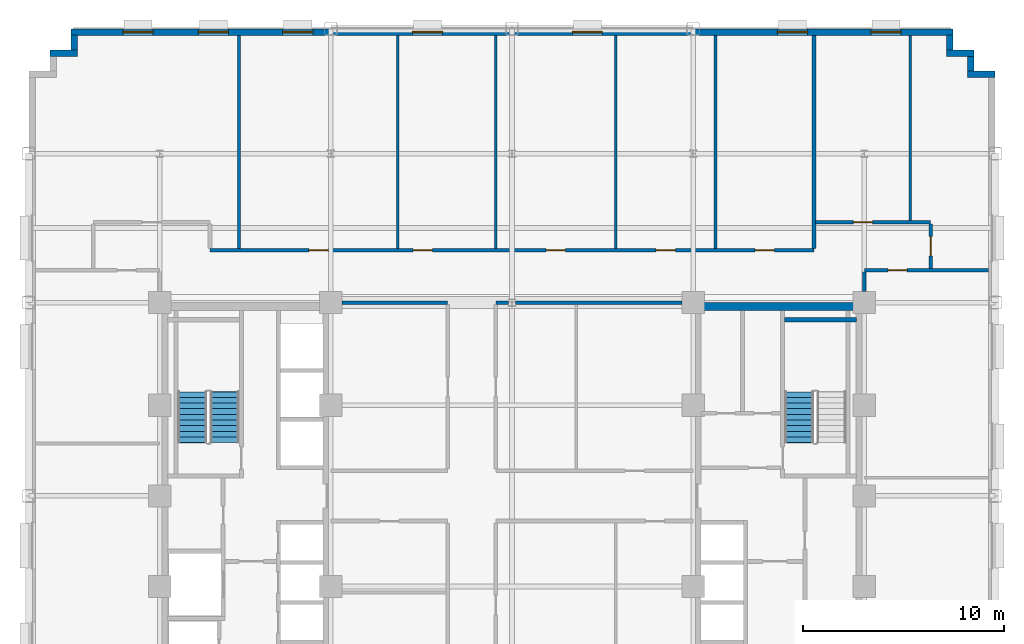
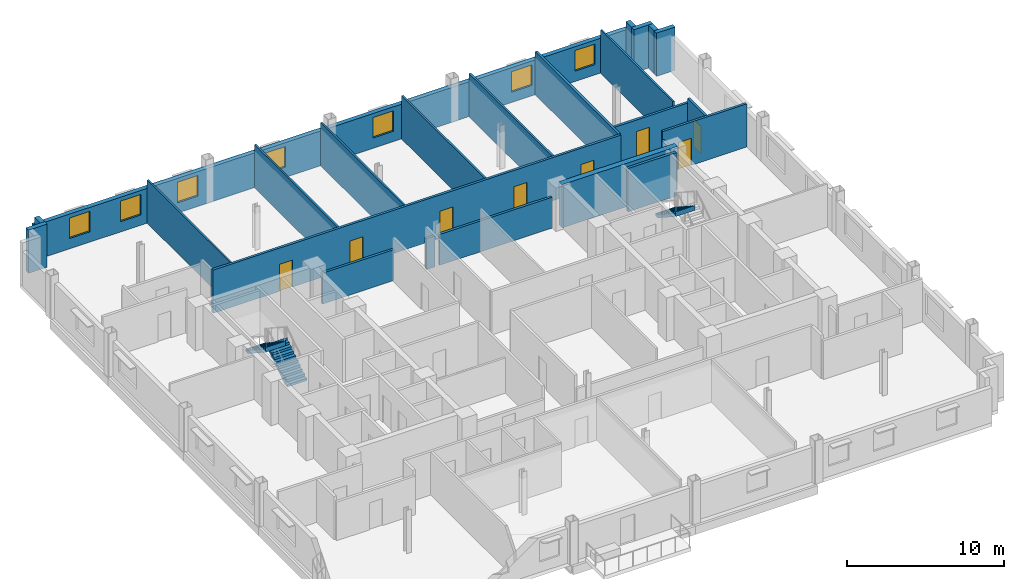
# One storey, part 9 of 14: 24 walls, 8 doors, 7 windows, 3 stair flights, 15 openings, 2 elements without a shape of their own.
"""IFC4 building model written with IfcOpenShell, lengths in metres."""

from ifc_helpers import new_model, si_unit, direction, frame, frame_2d, origin, place, context, subcontext, project, spatial, polyline, rectangle, outline, extrude, source, transform, mapped, material, layer, layer_set, type_object, type_shapes, element, fill, aggregate, save


model = new_model("IFC4")

# Units and contexts
model_context = context("Model", 3, precision=1e-05, world=origin(), true_north=direction((0.0, 1.0)))
body_context = subcontext(model_context, "Body", "Model", "MODEL_VIEW")
ifc_project = project(units=[si_unit("LENGTHUNIT", "METRE"), si_unit("AREAUNIT", "SQUARE_METRE"), si_unit("VOLUMEUNIT", "CUBIC_METRE"), si_unit("PLANEANGLEUNIT", "RADIAN"), si_unit("MASSUNIT", "GRAM", prefix="KILO")], contexts=[model_context])

# Site, building, storey
site_placement = place(None, origin())
site = spatial("IfcSite", under=ifc_project, at=site_placement, CompositionType="ELEMENT")
building_placement = place(site_placement, origin())
building = spatial("IfcBuilding", under=site, at=building_placement, Name="Nuvemarco Arch Tower", CompositionType="ELEMENT")
storey_placement = place(building_placement, frame((0.0, 0.0, 109.25)))
storey = spatial("IfcBuildingStorey", under=building, at=storey_placement, Name="L28", CompositionType="ELEMENT", Elevation=109.25)

# Walls
ifc_material_1 = material(Name="Precast concrete C45/55", Category="concrete")
ifc_layer_1 = layer(ifc_material_1, 0.320068359375, Name="EW-MID-320")
ifc_layer_set_1 = layer_set([ifc_layer_1], Name="Precast concrete C45/55")
wall_type_1 = type_object("IfcWallType", Name="EW-MID-320", PredefinedType="STANDARD", material=ifc_layer_set_1)
wall_1_placement = place(storey_placement, frame((22.6298828125, 20.93994140625, 0.0), z_axis=(0.0, 0.0, 1.0), x_axis=(1.0, 0.0, 0.0)))
element("IfcWall", 1, at=wall_1_placement, inside=storey, type_object=wall_type_1, Name="L28 exterior precast facade wall 7", PredefinedType="STANDARD", context=body_context, shape_type="SweptSolid", body=[
    extrude(rectangle(XDim=1.3701171875, YDim=0.320068359375, at=frame_2d((0.68505859375, 0.0))), origin(), (0.0, 0.0, 1.0), 3.360107421875),
])
wall_2_placement = place(storey_placement, frame((22.7900390625, 21.095947265625, 0.0), z_axis=(0.0, 0.0, 1.0), x_axis=(0.0, 1.0, 0.0)))
element("IfcWall", 2, at=wall_2_placement, inside=storey, type_object=wall_type_1, Name="L28 exterior precast facade wall 8", PredefinedType="STANDARD", context=body_context, shape_type="SweptSolid", body=[
    extrude(rectangle(XDim=0.738037109375, YDim=0.320068359375, at=frame_2d((0.369140625, 0.0))), origin(), (0.0, 0.0, 1.0), 3.360107421875),
])
wall_3_placement = place(storey_placement, frame((21.580078125, 21.989990234375, 0.0), z_axis=(0.0, 0.0, 1.0), x_axis=(1.0, 0.0, 0.0)))
element("IfcWall", 3, at=wall_3_placement, inside=storey, type_object=wall_type_1, Name="L28 exterior precast facade wall 9", PredefinedType="STANDARD", context=body_context, shape_type="SweptSolid", body=[
    extrude(rectangle(XDim=1.369873046875, YDim=0.320068359375, at=frame_2d((0.68505859375, 0.0))), origin(), (0.0, 0.0, 1.0), 3.360107421875),
])
wall_4_placement = place(storey_placement, frame((21.739990234375, 22.14599609375, 0.0), z_axis=(0.0, 0.0, 1.0), x_axis=(0.0, 1.0, 0.0)))
element("IfcWall", 4, at=wall_4_placement, inside=storey, type_object=wall_type_1, Name="L28 exterior precast facade wall 10", PredefinedType="STANDARD", context=body_context, shape_type="SweptSolid", body=[
    extrude(rectangle(XDim=0.738037109375, YDim=0.320068359375, at=frame_2d((0.369140625, 0.0))), origin(), (0.0, 0.0, 1.0), 3.360107421875),
])

# Wall, openings, windows
wall_5_placement = place(storey_placement, frame((-21.89990234375, 23.0400390625, 0.0), z_axis=(0.0, 0.0, 1.0), x_axis=(1.0, 0.0, 0.0)))
wall_5 = element("IfcWall", 5, at=wall_5_placement, inside=storey, type_object=wall_type_1, Name="L28 exterior precast facade wall 11", PredefinedType="STANDARD", context=body_context, shape_type="SweptSolid", body=[
    extrude(rectangle(XDim=43.7998046875, YDim=0.320068359375, at=frame_2d((21.89990234375, 0.0))), origin(), (0.0, 0.0, 1.0), 2.705078125),
])
opening_1_placement = place(wall_5_placement, frame((2.572265625, 0.0, 0.800048828125)))
opening_1 = element("IfcOpeningElement", 6, at=opening_1_placement, cuts=wall_5, Name="Opening WN-11", PredefinedType="OPENING", context=body_context, shape_type="SweptSolid", body=[
    extrude(rectangle(XDim=1.5, YDim=1.60009765625, at=frame_2d((0.75, 0.800048828125))), frame((0.0, 0.169921875, 0.0), z_axis=(0.0, -1.0, 0.0), x_axis=(1.0, 0.0, 0.0)), (0.0, 0.0, 1.0), 0.340087890625),
])
opening_2_placement = place(wall_5_placement, frame((6.316650390625, 0.0, 0.800048828125)))
opening_2 = element("IfcOpeningElement", 7, at=opening_2_placement, cuts=wall_5, Name="Opening WN-11", PredefinedType="OPENING", context=body_context, shape_type="SweptSolid", body=[
    extrude(rectangle(XDim=1.5, YDim=1.60009765625, at=frame_2d((0.75, 0.800048828125))), frame((0.0, 0.169921875, 0.0), z_axis=(0.0, -1.0, 0.0), x_axis=(1.0, 0.0, 0.0)), (0.0, 0.0, 1.0), 0.340087890625),
])
opening_3_placement = place(wall_5_placement, frame((10.510986328125, 0.0, 0.800048828125)))
opening_3 = element("IfcOpeningElement", 8, at=opening_3_placement, cuts=wall_5, Name="Opening WN-11", PredefinedType="OPENING", context=body_context, shape_type="SweptSolid", body=[
    extrude(rectangle(XDim=1.5, YDim=1.60009765625, at=frame_2d((0.75, 0.800048828125))), frame((0.0, 0.169921875, 0.0), z_axis=(0.0, -1.0, 0.0), x_axis=(1.0, 0.0, 0.0)), (0.0, 0.0, 1.0), 0.340087890625),
])
opening_4_placement = place(wall_5_placement, frame((16.95556640625, 0.0, 0.800048828125)))
opening_4 = element("IfcOpeningElement", 9, at=opening_4_placement, cuts=wall_5, Name="Opening WN-11", PredefinedType="OPENING", context=body_context, shape_type="SweptSolid", body=[
    extrude(rectangle(XDim=1.5, YDim=1.60009765625, at=frame_2d((0.75, 0.800048828125))), frame((0.0, 0.169921875, 0.0), z_axis=(0.0, -1.0, 0.0), x_axis=(1.0, 0.0, 0.0)), (0.0, 0.0, 1.0), 0.340087890625),
])
opening_5_placement = place(wall_5_placement, frame((24.894287109375, 0.0, 0.800048828125)))
opening_5 = element("IfcOpeningElement", 10, at=opening_5_placement, cuts=wall_5, Name="Opening WN-11", PredefinedType="OPENING", context=body_context, shape_type="SweptSolid", body=[
    extrude(rectangle(XDim=1.5, YDim=1.60009765625, at=frame_2d((0.75, 0.800048828125))), frame((0.0, 0.169921875, 0.0), z_axis=(0.0, -1.0, 0.0), x_axis=(1.0, 0.0, 0.0)), (0.0, 0.0, 1.0), 0.340087890625),
])
opening_6_placement = place(wall_5_placement, frame((35.083251953125, 0.0, 0.800048828125)))
opening_6 = element("IfcOpeningElement", 11, at=opening_6_placement, cuts=wall_5, Name="Opening WN-11", PredefinedType="OPENING", context=body_context, shape_type="SweptSolid", body=[
    extrude(rectangle(XDim=1.5, YDim=1.60009765625, at=frame_2d((0.75, 0.800048828125))), frame((0.0, 0.169921875, 0.0), z_axis=(0.0, -1.0, 0.0), x_axis=(1.0, 0.0, 0.0)), (0.0, 0.0, 1.0), 0.340087890625),
])
opening_7_placement = place(wall_5_placement, frame((39.727783203125, 0.0, 0.800048828125)))
opening_7 = element("IfcOpeningElement", 12, at=opening_7_placement, cuts=wall_5, Name="Opening WN-11", PredefinedType="OPENING", context=body_context, shape_type="SweptSolid", body=[
    extrude(rectangle(XDim=1.5, YDim=1.60009765625, at=frame_2d((0.75, 0.800048828125))), frame((0.0, 0.169921875, 0.0), z_axis=(0.0, -1.0, 0.0), x_axis=(1.0, 0.0, 0.0)), (0.0, 0.0, 1.0), 0.340087890625),
])
ifc_material_2 = material(Name="Insulated solar-control glass", Category="glass")
window_type = type_object("IfcWindowType", Name="WN-STEP-1500x1850", PartitioningType="SINGLE_PANEL", PredefinedType="WINDOW", material=ifc_material_2)
shared_shape_1 = source(origin(), body_context, "Body", "SweptSolid", [
    extrude(rectangle(XDim=1.5, YDim=1.60009765625, at=frame_2d((0.75, 0.800048828125))), frame((0.0, 0.030029296875, 0.0), z_axis=(0.0, -1.0, 0.0), x_axis=(1.0, 0.0, 0.0)), (0.0, 0.0, 1.0), 0.06005859375),
])
type_shapes(window_type, [shared_shape_1])
window_1_placement = place(opening_1_placement, origin())
window_1 = element("IfcWindow", 13, at=window_1_placement, inside=storey, type_object=window_type, Name="L28 punched facade window 1", OverallHeight=1.60009765625, OverallWidth=1.5, PartitioningType="SINGLE_PANEL", PredefinedType="WINDOW", context=body_context, shape_type="MappedRepresentation", body=[
    mapped(shared_shape_1, transform((0.0, 0.0, 0.0), scale=1.0)),
])
fill(opening_1, window_1)
window_2_placement = place(opening_2_placement, origin())
window_2 = element("IfcWindow", 14, at=window_2_placement, inside=storey, type_object=window_type, Name="L28 punched facade window 2", OverallHeight=1.60009765625, OverallWidth=1.5, PartitioningType="SINGLE_PANEL", PredefinedType="WINDOW", context=body_context, shape_type="MappedRepresentation", body=[
    mapped(shared_shape_1, transform((0.0, 0.0, 0.0), scale=1.0)),
])
fill(opening_2, window_2)
window_3_placement = place(opening_3_placement, origin())
window_3 = element("IfcWindow", 15, at=window_3_placement, inside=storey, type_object=window_type, Name="L28 punched facade window 3", OverallHeight=1.60009765625, OverallWidth=1.5, PartitioningType="SINGLE_PANEL", PredefinedType="WINDOW", context=body_context, shape_type="MappedRepresentation", body=[
    mapped(shared_shape_1, transform((0.0, 0.0, 0.0), scale=1.0)),
])
fill(opening_3, window_3)
window_4_placement = place(opening_4_placement, origin())
window_4 = element("IfcWindow", 16, at=window_4_placement, inside=storey, type_object=window_type, Name="L28 punched facade window 4", OverallHeight=1.60009765625, OverallWidth=1.5, PartitioningType="SINGLE_PANEL", PredefinedType="WINDOW", context=body_context, shape_type="MappedRepresentation", body=[
    mapped(shared_shape_1, transform((0.0, 0.0, 0.0), scale=1.0)),
])
fill(opening_4, window_4)
window_5_placement = place(opening_5_placement, origin())
window_5 = element("IfcWindow", 17, at=window_5_placement, inside=storey, type_object=window_type, Name="L28 punched facade window 6", OverallHeight=1.60009765625, OverallWidth=1.5, PartitioningType="SINGLE_PANEL", PredefinedType="WINDOW", context=body_context, shape_type="MappedRepresentation", body=[
    mapped(shared_shape_1, transform((0.0, 0.0, 0.0), scale=1.0)),
])
fill(opening_5, window_5)
window_6_placement = place(opening_6_placement, origin())
window_6 = element("IfcWindow", 18, at=window_6_placement, inside=storey, type_object=window_type, Name="L28 punched facade window 8", OverallHeight=1.60009765625, OverallWidth=1.5, PartitioningType="SINGLE_PANEL", PredefinedType="WINDOW", context=body_context, shape_type="MappedRepresentation", body=[
    mapped(shared_shape_1, transform((0.0, 0.0, 0.0), scale=1.0)),
])
fill(opening_6, window_6)
window_7_placement = place(opening_7_placement, origin())
window_7 = element("IfcWindow", 19, at=window_7_placement, inside=storey, type_object=window_type, Name="L28 punched facade window 9", OverallHeight=1.60009765625, OverallWidth=1.5, PartitioningType="SINGLE_PANEL", PredefinedType="WINDOW", context=body_context, shape_type="MappedRepresentation", body=[
    mapped(shared_shape_1, transform((0.0, 0.0, 0.0), scale=1.0)),
])
fill(opening_7, window_7)

# Walls
wall_6_placement = place(storey_placement, frame((-21.739990234375, 22.14599609375, 0.0), z_axis=(0.0, 0.0, 1.0), x_axis=(0.0, 1.0, 0.0)))
element("IfcWall", 20, at=wall_6_placement, inside=storey, type_object=wall_type_1, Name="L28 exterior precast facade wall 12", PredefinedType="STANDARD", context=body_context, shape_type="SweptSolid", body=[
    extrude(rectangle(XDim=0.738037109375, YDim=0.320068359375, at=frame_2d((0.369140625, 0.0))), origin(), (0.0, 0.0, 1.0), 3.360107421875),
])
wall_7_placement = place(storey_placement, frame((-22.949951171875, 21.989990234375, 0.0), z_axis=(0.0, 0.0, 1.0), x_axis=(1.0, 0.0, 0.0)))
element("IfcWall", 21, at=wall_7_placement, inside=storey, type_object=wall_type_1, Name="L28 exterior precast facade wall 13", PredefinedType="STANDARD", context=body_context, shape_type="SweptSolid", body=[
    extrude(rectangle(XDim=1.369873046875, YDim=0.320068359375, at=frame_2d((0.68505859375, 0.0))), origin(), (0.0, 0.0, 1.0), 3.360107421875),
])
ifc_material_3 = material(Name="Concrete C60/75", Category="concrete")
ifc_layer_2 = layer(ifc_material_3, 0.39990234375, Name="WL-CORE-400")
ifc_layer_set_2 = layer_set([ifc_layer_2], Name="Concrete C60/75")
wall_type_2 = type_object("IfcWallType", Name="WL-CORE-400", PredefinedType="SHEAR", material=ifc_layer_set_2)
wall_8_placement = place(storey_placement, frame((9.0, 9.39990234375, 0.0), z_axis=(0.0, 0.0, 1.0), x_axis=(1.0, 0.0, 0.0)))
element("IfcWall", 22, at=wall_8_placement, inside=storey, type_object=wall_type_2, Name="L28 E-core shear wall N", PredefinedType="SHEAR", context=body_context, shape_type="SweptSolid", body=[
    extrude(rectangle(XDim=8.5, YDim=0.39990234375, at=frame_2d((4.25, 0.0))), origin(), (0.0, 0.0, 1.0), 3.3701171875),
])
ifc_material_4 = material(Name="Fire-rated gypsum drywall partition")
ifc_layer_3 = layer(ifc_material_4, 0.179931640625, Name="WL-CORR-180")
ifc_layer_set_3 = layer_set([ifc_layer_3], Name="Fire-rated gypsum drywall partition")
wall_type_3 = type_object("IfcWallType", Name="WL-CORR-180", PredefinedType="PARTITIONING", material=ifc_layer_set_3)
wall_9_placement = place(storey_placement, frame((-8.4541015625, 9.60009765625, 0.0), z_axis=(0.0, 0.0, 1.0), x_axis=(1.0, 0.0, 0.0)))
element("IfcWall", 23, at=wall_9_placement, inside=storey, type_object=wall_type_3, Name="L28 interior wall IW-L28-017", PredefinedType="PARTITIONING", context=body_context, shape_type="SweptSolid", body=[
    extrude(rectangle(XDim=5.254150390625, YDim=0.179931640625, at=frame_2d((2.626953125, 0.0))), origin(), (0.0, 0.0, 1.0), 2.405029296875),
])
wall_10_placement = place(storey_placement, frame((-0.800048828125, 9.60009765625, 0.0), z_axis=(0.0, 0.0, 1.0), x_axis=(1.0, 0.0, 0.0)))
element("IfcWall", 24, at=wall_10_placement, inside=storey, type_object=wall_type_3, Name="L28 interior wall IW-L28-018", PredefinedType="PARTITIONING", context=body_context, shape_type="SweptSolid", body=[
    extrude(rectangle(XDim=0.6240234375, YDim=0.179931640625, at=frame_2d((0.31201171875, 0.0))), origin(), (0.0, 0.0, 1.0), 2.405029296875),
])
wall_11_placement = place(storey_placement, frame((0.176025390625, 9.60009765625, 0.0), z_axis=(0.0, 0.0, 1.0), x_axis=(1.0, 0.0, 0.0)))
element("IfcWall", 25, at=wall_11_placement, inside=storey, type_object=wall_type_3, Name="L28 interior wall IW-L28-019", PredefinedType="PARTITIONING", context=body_context, shape_type="SweptSolid", body=[
    extrude(rectangle(XDim=8.278076171875, YDim=0.179931640625, at=frame_2d((4.13916015625, 0.0))), origin(), (0.0, 0.0, 1.0), 2.405029296875),
])

# Wall, opening, door
wall_12_placement = place(storey_placement, frame((17.5, 11.199951171875, 0.0), z_axis=(0.0, 0.0, 1.0), x_axis=(1.0, 0.0, 0.0)))
wall_12 = element("IfcWall", 26, at=wall_12_placement, inside=storey, type_object=wall_type_3, Name="L28 interior wall IW-L28-021", PredefinedType="PARTITIONING", context=body_context, shape_type="SweptSolid", body=[
    extrude(rectangle(XDim=6.179931640625, YDim=0.179931640625, at=frame_2d((3.08984375, 0.0))), origin(), (0.0, 0.0, 1.0), 3.360107421875),
])
opening_8_placement = place(wall_12_placement, frame((1.169921875, 0.0, 0.0)))
opening_8 = element("IfcOpeningElement", 27, at=opening_8_placement, cuts=wall_12, Name="Opening FD-5", PredefinedType="OPENING", context=body_context, shape_type="SweptSolid", body=[
    extrude(rectangle(XDim=0.9599609375, YDim=2.10009765625, at=frame_2d((0.47998046875, 1.050048828125))), frame((0.0, 0.099853515625, 0.0), z_axis=(0.0, -1.0, 0.0), x_axis=(1.0, 0.0, 0.0)), (0.0, 0.0, 1.0), 0.199951171875),
])
ifc_material_5 = material(Name="Timber fire door", Category="wood")
door_type = type_object("IfcDoorType", Name="DR-CORR-FD", OperationType="NOTDEFINED", PredefinedType="DOOR", material=ifc_material_5)
shared_shape_2 = source(origin(), body_context, "Body", "SweptSolid", [
    extrude(rectangle(XDim=0.9599609375, YDim=2.10009765625, at=frame_2d((0.47998046875, 1.050048828125))), frame((0.0, 0.02490234375, 0.0), z_axis=(0.0, -1.0, 0.0), x_axis=(1.0, 0.0, 0.0)), (0.0, 0.0, 1.0), 0.050048828125),
])
type_shapes(door_type, [shared_shape_2])
door_1_placement = place(opening_8_placement, origin())
door_1 = element("IfcDoor", 28, at=door_1_placement, inside=storey, type_object=door_type, Name="L28 door DR-L28-E_2", OperationType="SINGLE_SWING_LEFT", OverallHeight=2.10009765625, OverallWidth=0.9599609375, PredefinedType="DOOR", context=body_context, shape_type="MappedRepresentation", body=[
    mapped(shared_shape_2, transform((0.0, 0.0, 0.0), scale=1.0)),
])
fill(opening_8, door_1)

# Wall, openings, doors
wall_13_placement = place(storey_placement, frame((-15.0, 12.199951171875, 0.0), z_axis=(0.0, 0.0, 1.0), x_axis=(1.0, 0.0, 0.0)))
wall_13 = element("IfcWall", 29, at=wall_13_placement, inside=storey, type_object=wall_type_3, Name="L28 interior wall IW-L28-022", PredefinedType="PARTITIONING", context=body_context, shape_type="SweptSolid", body=[
    extrude(rectangle(XDim=30.0, YDim=0.179931640625, at=frame_2d((15.0, 0.0))), origin(), (0.0, 0.0, 1.0), 3.360107421875),
])
opening_9_placement = place(wall_13_placement, frame((4.905029296875, 0.0, 0.0)))
opening_9 = element("IfcOpeningElement", 30, at=opening_9_placement, cuts=wall_13, Name="Opening FD-5", PredefinedType="OPENING", context=body_context, shape_type="SweptSolid", body=[
    extrude(rectangle(XDim=0.9599609375, YDim=2.10009765625, at=frame_2d((0.47998046875, 1.050048828125))), frame((0.0, 0.099853515625, 0.0), z_axis=(0.0, -1.0, 0.0), x_axis=(1.0, 0.0, 0.0)), (0.0, 0.0, 1.0), 0.199951171875),
])
opening_10_placement = place(wall_13_placement, frame((16.695068359375, 0.0, 0.0)))
opening_10 = element("IfcOpeningElement", 31, at=opening_10_placement, cuts=wall_13, Name="Opening FD-5", PredefinedType="OPENING", context=body_context, shape_type="SweptSolid", body=[
    extrude(rectangle(XDim=0.9599609375, YDim=2.10009765625, at=frame_2d((0.47998046875, 1.050048828125))), frame((0.0, 0.099853515625, 0.0), z_axis=(0.0, -1.0, 0.0), x_axis=(1.0, 0.0, 0.0)), (0.0, 0.0, 1.0), 0.199951171875),
])
opening_11_placement = place(wall_13_placement, frame((22.14990234375, 0.0, 0.0)))
opening_11 = element("IfcOpeningElement", 32, at=opening_11_placement, cuts=wall_13, Name="Opening FD-5", PredefinedType="OPENING", context=body_context, shape_type="SweptSolid", body=[
    extrude(rectangle(XDim=0.9599609375, YDim=2.10009765625, at=frame_2d((0.47998046875, 1.050048828125))), frame((0.0, 0.099853515625, 0.0), z_axis=(0.0, -1.0, 0.0), x_axis=(1.0, 0.0, 0.0)), (0.0, 0.0, 1.0), 0.199951171875),
])
opening_12_placement = place(wall_13_placement, frame((27.074951171875, 0.0, 0.0)))
opening_12 = element("IfcOpeningElement", 33, at=opening_12_placement, cuts=wall_13, Name="Opening FD-5", PredefinedType="OPENING", context=body_context, shape_type="SweptSolid", body=[
    extrude(rectangle(XDim=0.9599609375, YDim=2.10009765625, at=frame_2d((0.47998046875, 1.050048828125))), frame((0.0, 0.099853515625, 0.0), z_axis=(0.0, -1.0, 0.0), x_axis=(1.0, 0.0, 0.0)), (0.0, 0.0, 1.0), 0.199951171875),
])
opening_13_placement = place(wall_13_placement, frame((10.0849609375, 0.0, 0.0)))
opening_13 = element("IfcOpeningElement", 34, at=opening_13_placement, cuts=wall_13, Name="Opening FD-5", PredefinedType="OPENING", context=body_context, shape_type="SweptSolid", body=[
    extrude(rectangle(XDim=0.9599609375, YDim=2.10009765625, at=frame_2d((0.47998046875, 1.050048828125))), frame((0.0, 0.099853515625, 0.0), z_axis=(0.0, -1.0, 0.0), x_axis=(1.0, 0.0, 0.0)), (0.0, 0.0, 1.0), 0.199951171875),
])
door_2_placement = place(opening_9_placement, origin())
door_2 = element("IfcDoor", 35, at=door_2_placement, inside=storey, type_object=door_type, Name="L28 door DR-L28-N_2", OperationType="SINGLE_SWING_RIGHT", OverallHeight=2.10009765625, OverallWidth=0.9599609375, PredefinedType="DOOR", context=body_context, shape_type="MappedRepresentation", body=[
    mapped(shared_shape_2, transform((0.0, 0.0, 0.0), scale=1.0)),
])
fill(opening_9, door_2)
door_3_placement = place(opening_10_placement, origin())
door_3 = element("IfcDoor", 36, at=door_3_placement, inside=storey, type_object=door_type, Name="L28 door DR-L28-N_4", OperationType="SINGLE_SWING_RIGHT", OverallHeight=2.10009765625, OverallWidth=0.9599609375, PredefinedType="DOOR", context=body_context, shape_type="MappedRepresentation", body=[
    mapped(shared_shape_2, transform((0.0, 0.0, 0.0), scale=1.0)),
])
fill(opening_10, door_3)
door_4_placement = place(opening_11_placement, origin())
door_4 = element("IfcDoor", 37, at=door_4_placement, inside=storey, type_object=door_type, Name="L28 door DR-L28-N_5", OperationType="SINGLE_SWING_RIGHT", OverallHeight=2.10009765625, OverallWidth=0.9599609375, PredefinedType="DOOR", context=body_context, shape_type="MappedRepresentation", body=[
    mapped(shared_shape_2, transform((0.0, 0.0, 0.0), scale=1.0)),
])
fill(opening_11, door_4)
door_5_placement = place(opening_12_placement, origin())
door_5 = element("IfcDoor", 38, at=door_5_placement, inside=storey, type_object=door_type, Name="L28 door DR-L28-N_6", OperationType="SINGLE_SWING_LEFT", OverallHeight=2.10009765625, OverallWidth=0.9599609375, PredefinedType="DOOR", context=body_context, shape_type="MappedRepresentation", body=[
    mapped(shared_shape_2, transform((0.0, 0.0, 0.0), scale=1.0)),
])
fill(opening_12, door_5)
door_6_placement = place(opening_13_placement, origin())
door_6 = element("IfcDoor", 39, at=door_6_placement, inside=storey, type_object=door_type, Name="L28 door DR-L28-N_3", OperationType="SINGLE_SWING_RIGHT", OverallHeight=2.10009765625, OverallWidth=0.9599609375, PredefinedType="DOOR", context=body_context, shape_type="MappedRepresentation", body=[
    mapped(shared_shape_2, transform((0.0, 0.0, 0.0), scale=1.0)),
])
fill(opening_13, door_6)

# Wall, opening, door
wall_14_placement = place(storey_placement, frame((15.0859375, 13.60009765625, 0.0), z_axis=(0.0, 0.0, 1.0), x_axis=(1.0, 0.0, 0.0)))
wall_14 = element("IfcWall", 40, at=wall_14_placement, inside=storey, type_object=wall_type_3, Name="L28 interior wall IW-L28-024", PredefinedType="PARTITIONING", context=body_context, shape_type="SweptSolid", body=[
    extrude(rectangle(XDim=5.714111328125, YDim=0.179931640625, at=frame_2d((2.85693359375, 0.0))), origin(), (0.0, 0.0, 1.0), 2.998046875),
])
opening_14_placement = place(wall_14_placement, frame((1.866943359375, 0.0, 0.0)))
opening_14 = element("IfcOpeningElement", 41, at=opening_14_placement, cuts=wall_14, Name="Opening FD-5", PredefinedType="OPENING", context=body_context, shape_type="SweptSolid", body=[
    extrude(rectangle(XDim=0.9599609375, YDim=2.10009765625, at=frame_2d((0.47998046875, 1.050048828125))), frame((0.0, 0.099853515625, 0.0), z_axis=(0.0, -1.0, 0.0), x_axis=(1.0, 0.0, 0.0)), (0.0, 0.0, 1.0), 0.199951171875),
])
door_7_placement = place(opening_14_placement, origin())
door_7 = element("IfcDoor", 42, at=door_7_placement, inside=storey, type_object=door_type, Name="L28 door DR-L28-N_7", OperationType="SINGLE_SWING_RIGHT", OverallHeight=2.10009765625, OverallWidth=0.9599609375, PredefinedType="DOOR", context=body_context, shape_type="MappedRepresentation", body=[
    mapped(shared_shape_2, transform((0.0, 0.0, 0.0), scale=1.0)),
])
fill(opening_14, door_7)

# Walls
wall_15_placement = place(storey_placement, frame((15.0, 12.285888671875, 0.0), z_axis=(0.0, 0.0, 1.0), x_axis=(0.0, 1.0, 0.0)))
element("IfcWall", 43, at=wall_15_placement, inside=storey, type_object=wall_type_3, Name="L28 interior wall IW-L28-049", PredefinedType="PARTITIONING", context=body_context, shape_type="SweptSolid", body=[
    extrude(rectangle(XDim=10.593994140625, YDim=0.179931640625, at=frame_2d((5.296875, 0.0))), origin(), (0.0, 0.0, 1.0), 3.360107421875),
])
wall_16_placement = place(storey_placement, frame((17.5, 10.14599609375, 0.0), z_axis=(0.0, 0.0, 1.0), x_axis=(0.0, 1.0, 0.0)))
element("IfcWall", 44, at=wall_16_placement, inside=storey, type_object=wall_type_3, Name="L28 interior wall IW-L28-051", PredefinedType="PARTITIONING", context=body_context, shape_type="SweptSolid", body=[
    extrude(rectangle(XDim=0.968017578125, YDim=0.179931640625, at=frame_2d((0.48388671875, 0.0))), origin(), (0.0, 0.0, 1.0), 2.738037109375),
])

# Wall, opening, door
wall_17_placement = place(storey_placement, frame((20.800048828125, 11.285888671875, 0.0), z_axis=(0.0, 0.0, 1.0), x_axis=(0.0, 1.0, 0.0)))
wall_17 = element("IfcWall", 45, at=wall_17_placement, inside=storey, type_object=wall_type_3, Name="L28 interior wall IW-L28-054", PredefinedType="PARTITIONING", context=body_context, shape_type="SweptSolid", body=[
    extrude(rectangle(XDim=2.22802734375, YDim=0.179931640625, at=frame_2d((1.114013671875, 0.0))), origin(), (0.0, 0.0, 1.0), 3.360107421875),
])
opening_15_placement = place(wall_17_placement, frame((0.634033203125, 0.0, 0.0)))
opening_15 = element("IfcOpeningElement", 46, at=opening_15_placement, cuts=wall_17, Name="Opening FD-5", PredefinedType="OPENING", context=body_context, shape_type="SweptSolid", body=[
    extrude(rectangle(XDim=0.9599609375, YDim=2.10009765625, at=frame_2d((0.47998046875, 1.050048828125))), frame((0.0, 0.099853515625, 0.0), z_axis=(0.0, -1.0, 0.0), x_axis=(1.0, 0.0, 0.0)), (0.0, 0.0, 1.0), 0.199951171875),
])
door_8_placement = place(opening_15_placement, origin())
door_8 = element("IfcDoor", 47, at=door_8_placement, inside=storey, type_object=door_type, Name="L28 door DR-L28-N_8", OperationType="SINGLE_SWING_LEFT", OverallHeight=2.10009765625, OverallWidth=0.9599609375, PredefinedType="DOOR", context=body_context, shape_type="MappedRepresentation", body=[
    mapped(shared_shape_2, transform((0.0, 0.0, 0.0), scale=1.0)),
])
fill(opening_15, door_8)

# Walls
ifc_material_6 = material(Name="Glazed acoustic office partition")
ifc_layer_4 = layer(ifc_material_6, 0.1298828125, Name="WL-EXEC-130")
ifc_layer_set_4 = layer_set([ifc_layer_4], Name="Glazed acoustic office partition")
wall_type_4 = type_object("IfcWallType", Name="WL-EXEC-130", PredefinedType="PARTITIONING", material=ifc_layer_set_4)
for number, where, z_axis, x_axis, name in (
    (48, (-13.56005859375, 12.285888671875, 0.0), (0.0, 0.0, 1.0), (0.0, 1.0, 0.0), "L28 interior wall IW-L28-031"),
    (49, (-5.669921875, 12.285888671875, 0.0), (0.0, 0.0, 1.0), (0.0, 1.0, 0.0), "L28 interior wall IW-L28-035"),
    (50, (-0.800048828125, 12.285888671875, 0.0), (0.0, 0.0, 1.0), (0.0, 1.0, 0.0), "L28 interior wall IW-L28-042"),
):
    element("IfcWall", number, at=place(storey_placement, frame(where, z_axis=z_axis, x_axis=x_axis)), inside=storey, type_object=wall_type_4, Name=name, PredefinedType="PARTITIONING", context=body_context, shape_type="SweptSolid", body=[
        extrude(rectangle(XDim=10.593994140625, YDim=0.1298828125, at=frame_2d((5.296875, 0.0))), origin(), (0.0, 0.0, 1.0), 3.360107421875),
    ])
wall_18_placement = place(storey_placement, frame((19.780029296875, 13.68603515625, 0.0), z_axis=(0.0, 0.0, 1.0), x_axis=(0.0, 1.0, 0.0)))
element("IfcWall", 51, at=wall_18_placement, inside=storey, type_object=wall_type_4, Name="L28 interior wall IW-L28-052", PredefinedType="PARTITIONING", context=body_context, shape_type="SweptSolid", body=[
    extrude(rectangle(XDim=9.19384765625, YDim=0.1298828125, at=frame_2d((4.596923828125, 0.0))), origin(), (0.0, 0.0, 1.0), 3.360107421875),
])
ifc_material_7 = material(Name="Gypsum plasterboard partition")
ifc_layer_5 = layer(ifc_material_7, 0.139892578125, Name="WL-ROOM-140")
ifc_layer_set_5 = layer_set([ifc_layer_5], Name="Gypsum plasterboard partition")
wall_type_5 = type_object("IfcWallType", Name="WL-ROOM-140", PredefinedType="PARTITIONING", material=ifc_layer_set_5)
for number, where, z_axis, x_axis, name in (
    (52, (5.14990234375, 12.285888671875, 0.0), (0.0, 0.0, 1.0), (0.0, 1.0, 0.0), "L28 interior wall IW-L28-045"),
    (53, (10.110107421875, 12.285888671875, 0.0), (0.0, 0.0, 1.0), (0.0, 1.0, 0.0), "L28 interior wall IW-L28-047"),
):
    element("IfcWall", number, at=place(storey_placement, frame(where, z_axis=z_axis, x_axis=x_axis)), inside=storey, type_object=wall_type_5, Name=name, PredefinedType="PARTITIONING", context=body_context, shape_type="SweptSolid", body=[
        extrude(rectangle(XDim=10.593994140625, YDim=0.139892578125, at=frame_2d((5.296875, 0.0))), origin(), (0.0, 0.0, 1.0), 3.360107421875),
    ])
ifc_material_8 = material(Name="Concrete C50/60", Category="concrete")
ifc_layer_6 = layer(ifc_material_8, 0.199951171875, Name="WL-SHAFT-220")
ifc_layer_set_6 = layer_set([ifc_layer_6], Name="Concrete C50/60")
wall_type_6 = type_object("IfcWallType", Name="WL-SHAFT-220", PredefinedType="SHEAR", material=ifc_layer_set_6)
wall_19_placement = place(storey_placement, frame((13.534912109375, 8.75, 0.0), z_axis=(0.0, 0.0, 1.0), x_axis=(1.0, 0.0, 0.0)))
element("IfcWall", 54, at=wall_19_placement, inside=storey, type_object=wall_type_6, Name="L28 structural shaft wall SW-L28-E-ST2N", PredefinedType="SHEAR", context=body_context, shape_type="SweptSolid", body=[
    extrude(rectangle(XDim=3.570068359375, YDim=0.199951171875, at=frame_2d((1.78515625, 0.0))), origin(), (0.0, 0.0, 1.0), 3.3701171875),
])

# Stair, stair flights
stair_type = type_object("IfcStairType", Name="ST-CORE-20R", PredefinedType="HALF_TURN_STAIR", material=ifc_material_1)
stair_1_placement = place(storey_placement, origin())
stair_1 = element("IfcStair", 55, at=stair_1_placement, inside=storey, type_object=stair_type, Name="L28 Protected Exit Stair ST-1", PredefinedType="HALF_TURN_STAIR")
stair_flight_type = type_object("IfcStairFlightType", Name="SF-CORE-20R", PredefinedType="STRAIGHT", material=ifc_material_1)
stair_flight_1_placement = place(storey_placement, frame((-14.264892578125, 2.64990234375, 0.0), z_axis=(0.0, 0.0, 1.0), x_axis=(0.0, 1.0, 0.0)))
stair_flight_1 = element("IfcStairFlight", 56, at=stair_flight_1_placement, type_object=stair_flight_type, Name="ST-20R flight 1", NumberOfRisers=10, NumberOfTreads=9, PredefinedType="STRAIGHT", RiserHeight=0.1825, TreadLength=0.28, context=body_context, shape_type="SweptSolid", body=[
    extrude(outline(polyline([(0.0, 0.0), (0.0, 0.1826171875), (0.280029296875, 0.1826171875), (0.280029296875, 0.364990234375), (0.56005859375, 0.364990234375), (0.56005859375, 0.547607421875), (0.840087890625, 0.547607421875), (0.840087890625, 0.72998046875), (1.1201171875, 0.72998046875), (1.1201171875, 0.91259765625), (1.39990234375, 0.91259765625), (1.39990234375, 1.094970703125), (1.679931640625, 1.094970703125), (1.679931640625, 1.277587890625), (1.9599609375, 1.277587890625), (1.9599609375, 1.4599609375), (2.239990234375, 1.4599609375), (2.239990234375, 1.642578125), (2.52001953125, 1.642578125), (2.52001953125, 1.824951171875), (2.5400390625, 1.824951171875), (2.5400390625, 1.45166015625), (0.312744140625, 0.0), (0.0, 0.0)])), frame((0.0, 0.72509765625, 0.0), z_axis=(0.0, -1.0, 0.0), x_axis=(1.0, 0.0, 0.0)), (0.0, 0.0, 1.0), 1.449951171875),
])
stair_flight_2_placement = place(storey_placement, frame((-15.875, 5.169921875, 1.824951171875), z_axis=(0.0, 0.0, 1.0), x_axis=(0.0, -1.0, 0.0)))
stair_flight_2 = element("IfcStairFlight", 57, at=stair_flight_2_placement, type_object=stair_flight_type, Name="ST-20R flight 2", NumberOfRisers=10, NumberOfTreads=9, PredefinedType="STRAIGHT", RiserHeight=0.1825, TreadLength=0.28, context=body_context, shape_type="SweptSolid", body=[
    extrude(outline(polyline([(0.0, 0.0), (0.0, 0.1826171875), (0.280029296875, 0.1826171875), (0.280029296875, 0.364990234375), (0.56005859375, 0.364990234375), (0.56005859375, 0.547607421875), (0.840087890625, 0.547607421875), (0.840087890625, 0.72998046875), (1.1201171875, 0.72998046875), (1.1201171875, 0.91259765625), (1.39990234375, 0.91259765625), (1.39990234375, 1.094970703125), (1.679931640625, 1.094970703125), (1.679931640625, 1.277587890625), (1.9599609375, 1.277587890625), (1.9599609375, 1.4599609375), (2.239990234375, 1.4599609375), (2.239990234375, 1.642578125), (2.52001953125, 1.642578125), (2.52001953125, 1.824951171875), (2.5400390625, 1.824951171875), (2.5400390625, 1.45166015625), (0.312744140625, 0.0), (0.0, 0.0)])), frame((0.0, 0.72509765625, 0.0), z_axis=(0.0, -1.0, 0.0), x_axis=(1.0, 0.0, 0.0)), (0.0, 0.0, 1.0), 1.449951171875),
])
aggregate(stair_1, [stair_flight_1, stair_flight_2])

# Stair, stair flight
stair_2_placement = place(storey_placement, origin())
stair_2 = element("IfcStair", 58, at=stair_2_placement, inside=storey, type_object=stair_type, Name="L28 Protected Exit Stair ST-2", PredefinedType="HALF_TURN_STAIR")
stair_flight_3_placement = place(storey_placement, frame((14.264892578125, 5.169921875, 1.824951171875), z_axis=(0.0, 0.0, 1.0), x_axis=(0.0, -1.0, 0.0)))
stair_flight_3 = element("IfcStairFlight", 59, at=stair_flight_3_placement, type_object=stair_flight_type, Name="ST-20R flight 2", NumberOfRisers=10, NumberOfTreads=9, PredefinedType="STRAIGHT", RiserHeight=0.1825, TreadLength=0.28, context=body_context, shape_type="SweptSolid", body=[
    extrude(outline(polyline([(0.0, 0.0), (0.0, 0.1826171875), (0.280029296875, 0.1826171875), (0.280029296875, 0.364990234375), (0.56005859375, 0.364990234375), (0.56005859375, 0.547607421875), (0.840087890625, 0.547607421875), (0.840087890625, 0.72998046875), (1.1201171875, 0.72998046875), (1.1201171875, 0.91259765625), (1.39990234375, 0.91259765625), (1.39990234375, 1.094970703125), (1.679931640625, 1.094970703125), (1.679931640625, 1.277587890625), (1.9599609375, 1.277587890625), (1.9599609375, 1.4599609375), (2.239990234375, 1.4599609375), (2.239990234375, 1.642578125), (2.52001953125, 1.642578125), (2.52001953125, 1.824951171875), (2.5400390625, 1.824951171875), (2.5400390625, 1.45166015625), (0.312744140625, 0.0), (0.0, 0.0)])), frame((0.0, 0.72509765625, 0.0), z_axis=(0.0, -1.0, 0.0), x_axis=(1.0, 0.0, 0.0)), (0.0, 0.0, 1.0), 1.449951171875),
])
aggregate(stair_2, [stair_flight_3])

save(model, "model.ifc")
